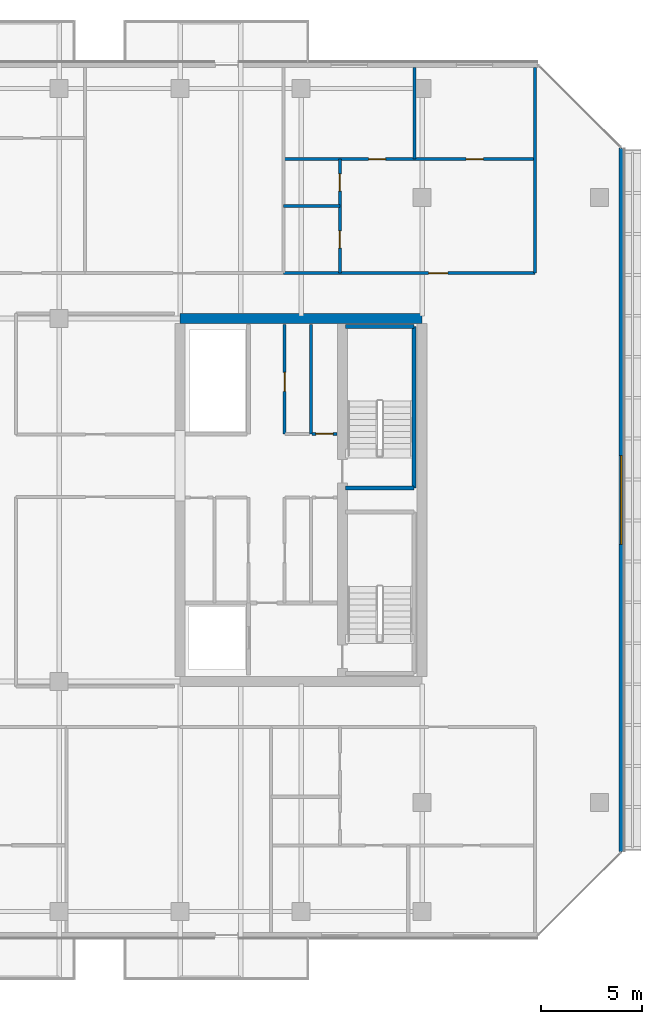
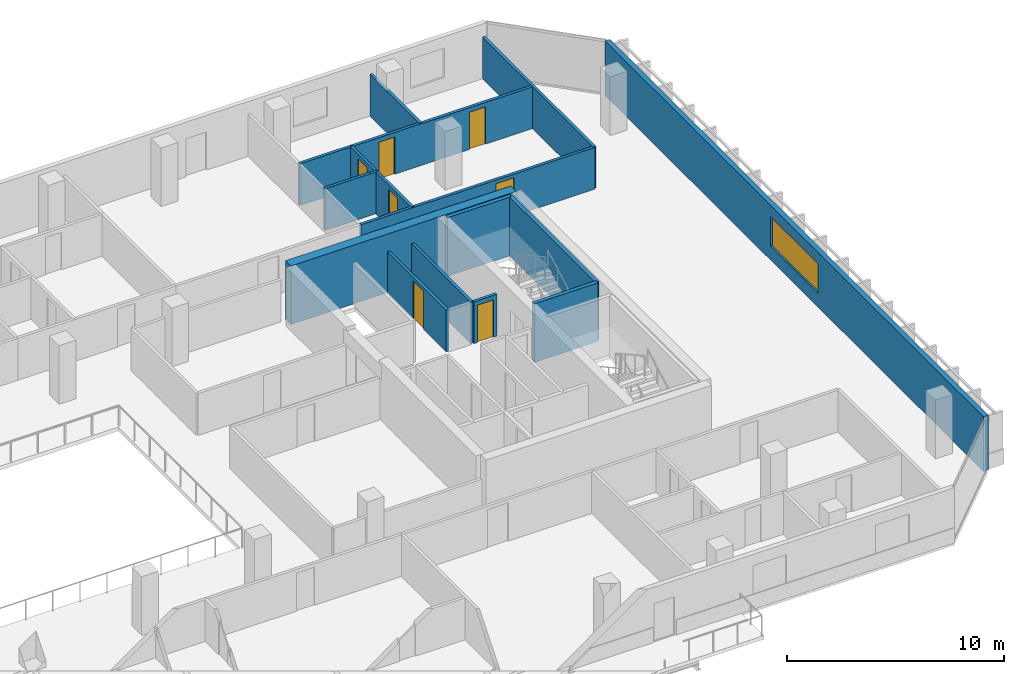
# One storey, part 24 of 29: 14 walls, 7 doors, 1 window, 8 openings.
"""IFC4 building model written with IfcOpenShell, lengths in metres."""

from ifc_helpers import new_model, si_unit, direction, frame, frame_2d, origin, place, context, subcontext, project, spatial, rectangle, extrude, material, layer, layer_set, type_object, element, fill, save


model = new_model("IFC4")

# Units and contexts
model_context = context("Model", 3, precision=1e-05, world=origin(), true_north=direction((0.0, 1.0)))
body_context = subcontext(model_context, "Body", "Model", "MODEL_VIEW")
ifc_project = project(units=[si_unit("LENGTHUNIT", "METRE"), si_unit("AREAUNIT", "SQUARE_METRE"), si_unit("VOLUMEUNIT", "CUBIC_METRE"), si_unit("PLANEANGLEUNIT", "RADIAN"), si_unit("MASSUNIT", "GRAM", prefix="KILO")], contexts=[model_context])

# Site, building, storey
site_placement = place(None, origin())
site = spatial("IfcSite", under=ifc_project, at=site_placement, CompositionType="ELEMENT")
building_placement = place(site_placement, origin())
building = spatial("IfcBuilding", under=site, at=building_placement, Name="Tanjung Sevakor Pilgrim Tower", CompositionType="ELEMENT")
storey_placement = place(building_placement, frame((0.0, 0.0, 148.5)))
storey = spatial("IfcBuildingStorey", under=building, at=storey_placement, Name="L41", CompositionType="ELEMENT", Elevation=148.5)

# Walls
ifc_material_1 = material(Name="Concrete C60/75", Category="concrete")
ifc_layer_1 = layer(ifc_material_1, 0.5)
ifc_layer_set_1 = layer_set([ifc_layer_1], Name="WALL-CW-500")
wall_type_1 = type_object("IfcWallType", Name="WALL-CW-500", PredefinedType="SHEAR", material=ifc_layer_set_1)
wall_1_placement = place(storey_placement, frame((90.0, 42.60009765625, 0.0), z_axis=(0.0, 0.0, 1.0), x_axis=(-1.0, 0.0, 0.0)))
element("IfcWall", 1, at=wall_1_placement, inside=storey, type_object=wall_type_1, Name="L41 E Core North Shear Wall", PredefinedType="SHEAR", context=body_context, shape_type="SweptSolid", body=[
    extrude(rectangle(XDim=12.0, YDim=0.5, at=frame_2d((6.0, 0.0))), origin(), (0.0, 0.0, 1.0), 3.300048828125),
])
ifc_material_2 = material(Name="Concrete C40/50", Category="concrete")
ifc_layer_2 = layer(ifc_material_2, 0.14990234375)
ifc_layer_set_2 = layer_set([ifc_layer_2], Name="WT-COMP-150")
wall_type_2 = type_object("IfcWallType", Name="WT-COMP-150", PredefinedType="SOLIDWALL", material=ifc_layer_set_2)
wall_2_placement = place(storey_placement, frame((84.47998046875, 36.8798828125, 0.0), z_axis=(0.0, 0.0, 1.0), x_axis=(0.0, 1.0, 0.0)))
element("IfcWall", 2, at=wall_2_placement, inside=storey, type_object=wall_type_2, Name="L41 Partition IW-L41-027", PredefinedType="SOLIDWALL", context=body_context, shape_type="SweptSolid", body=[
    extrude(rectangle(XDim=5.420166015625, YDim=0.14990234375, at=frame_2d((2.7099609375, 0.0))), origin(), (0.0, 0.0, 1.0), 2.35009765625),
])

# Wall, opening, door
wall_3_placement = place(storey_placement, frame((84.550048828125, 36.8798828125, 0.0), z_axis=(0.0, 0.0, 1.0), x_axis=(1.0, 0.0, 0.0)))
wall_3 = element("IfcWall", 3, at=wall_3_placement, inside=storey, type_object=wall_type_2, Name="L41 Partition IW-L41-028", PredefinedType="SOLIDWALL", context=body_context, shape_type="SweptSolid", body=[
    extrude(rectangle(XDim=1.22998046875, YDim=0.14990234375, at=frame_2d((0.614990234375, 0.0))), origin(), (0.0, 0.0, 1.0), 2.35009765625),
])
opening_1_placement = place(wall_3_placement, frame((0.179931640625, 0.0, 0.0)))
opening_1 = element("IfcOpeningElement", 4, at=opening_1_placement, cuts=wall_3, Name="Opening ID-FD3", PredefinedType="OPENING", context=body_context, shape_type="SweptSolid", body=[
    extrude(rectangle(XDim=0.85009765625, YDim=2.10009765625, at=frame_2d((0.425048828125, 1.050048828125))), frame((0.0, 0.0849609375, 0.0), z_axis=(0.0, -1.0, 0.0), x_axis=(1.0, 0.0, 0.0)), (0.0, 0.0, 1.0), 0.169921875),
])
ifc_material_3 = material(Name="Fire-Rated Timber", Category="wood")
door_type_1 = type_object("IfcDoorType", Name="DT-FIRE-850", OperationType="NOTDEFINED", PredefinedType="DOOR", material=ifc_material_3)
door_1_placement = place(opening_1_placement, origin())
door_1 = element("IfcDoor", 5, at=door_1_placement, inside=storey, type_object=door_type_1, Name="L41 Service Store Door", OperationType="SINGLE_SWING_RIGHT", OverallHeight=2.10009765625, OverallWidth=0.85009765625, PredefinedType="DOOR", context=body_context, shape_type="SweptSolid", body=[
    extrude(rectangle(XDim=0.85009765625, YDim=2.10009765625, at=frame_2d((0.425048828125, 1.050048828125))), frame((0.0, 0.02490234375, 0.0), z_axis=(0.0, -1.0, 0.0), x_axis=(1.0, 0.0, 0.0)), (0.0, 0.0, 1.0), 0.050048828125),
])
fill(opening_1, door_1)

wall_4_placement = place(storey_placement, frame((83.179931640625, 36.8798828125, 0.0), z_axis=(0.0, 0.0, 1.0), x_axis=(0.0, 1.0, 0.0)))
wall_4 = element("IfcWall", 6, at=wall_4_placement, inside=storey, type_object=wall_type_2, Name="L41 Partition IW-L41-030", PredefinedType="SOLIDWALL", context=body_context, shape_type="SweptSolid", body=[
    extrude(rectangle(XDim=5.420166015625, YDim=0.14990234375, at=frame_2d((2.7099609375, 0.0))), origin(), (0.0, 0.0, 1.0), 2.35009765625),
])
opening_2_placement = place(wall_4_placement, frame((2.10009765625, 0.0, 0.0)))
opening_2 = element("IfcOpeningElement", 7, at=opening_2_placement, cuts=wall_4, Name="Opening ID-FD2", PredefinedType="OPENING", context=body_context, shape_type="SweptSolid", body=[
    extrude(rectangle(XDim=0.949951171875, YDim=2.14990234375, at=frame_2d((0.47509765625, 1.074951171875))), frame((0.0, 0.0849609375, 0.0), z_axis=(0.0, -1.0, 0.0), x_axis=(1.0, 0.0, 0.0)), (0.0, 0.0, 1.0), 0.169921875),
])
ifc_material_4 = material(Name="Fire-Rated Timber", Category="wood")
door_type_2 = type_object("IfcDoorType", Name="DT-FIRE-950", OperationType="NOTDEFINED", PredefinedType="DOOR", material=ifc_material_4)
door_2_placement = place(opening_2_placement, origin())
door_2 = element("IfcDoor", 8, at=door_2_placement, inside=storey, type_object=door_type_2, Name="L41 Core Reading Room Door", OperationType="SINGLE_SWING_LEFT", OverallHeight=2.14990234375, OverallWidth=0.949951171875, PredefinedType="DOOR", context=body_context, shape_type="SweptSolid", body=[
    extrude(rectangle(XDim=0.949951171875, YDim=2.14990234375, at=frame_2d((0.47509765625, 1.074951171875))), frame((0.0, 0.02490234375, 0.0), z_axis=(0.0, -1.0, 0.0), x_axis=(1.0, 0.0, 0.0)), (0.0, 0.0, 1.0), 0.050048828125),
])
fill(opening_2, door_2)

# Wall
wall_5_placement = place(storey_placement, frame((95.60009765625, 44.85009765625, 0.0), z_axis=(0.0, 0.0, 1.0), x_axis=(0.0, 1.0, 0.0)))
element("IfcWall", 9, at=wall_5_placement, inside=storey, type_object=wall_type_2, Name="L41 Partition IW-L41-089", PredefinedType="SOLIDWALL", context=body_context, shape_type="SweptSolid", body=[
    extrude(rectangle(XDim=10.199951171875, YDim=0.14990234375, at=frame_2d((5.10009765625, 0.0))), origin(), (0.0, 0.0, 1.0), 2.35009765625),
])

# Wall, opening, door
wall_6_placement = place(storey_placement, frame((83.1357421875, 44.85009765625, 0.0), z_axis=(0.0, 0.0, 1.0), x_axis=(1.0, 0.0, 0.0)))
wall_6 = element("IfcWall", 10, at=wall_6_placement, inside=storey, type_object=wall_type_2, Name="L41 Partition IW-L41-107", PredefinedType="SOLIDWALL", context=body_context, shape_type="SweptSolid", body=[
    extrude(rectangle(XDim=12.46435546875, YDim=0.14990234375, at=frame_2d((6.232177734375, 0.0))), origin(), (0.0, 0.0, 1.0), 2.35009765625),
])
opening_3_placement = place(wall_6_placement, frame((7.189208984375, 0.0, 0.0)))
opening_3 = element("IfcOpeningElement", 11, at=opening_3_placement, cuts=wall_6, Name="Opening ID-FD2", PredefinedType="OPENING", context=body_context, shape_type="SweptSolid", body=[
    extrude(rectangle(XDim=0.949951171875, YDim=2.14990234375, at=frame_2d((0.47509765625, 1.074951171875))), frame((0.0, 0.0849609375, 0.0), z_axis=(0.0, -1.0, 0.0), x_axis=(1.0, 0.0, 0.0)), (0.0, 0.0, 1.0), 0.169921875),
])
door_3_placement = place(opening_3_placement, origin())
door_3 = element("IfcDoor", 12, at=door_3_placement, inside=storey, type_object=door_type_2, Name="Suite Entrance", OperationType="SINGLE_SWING_RIGHT", OverallHeight=2.14990234375, OverallWidth=0.949951171875, PredefinedType="DOOR", context=body_context, shape_type="SweptSolid", body=[
    extrude(rectangle(XDim=0.949951171875, YDim=2.14990234375, at=frame_2d((0.47509765625, 1.074951171875))), frame((0.0, 0.02490234375, 0.0), z_axis=(0.0, -1.0, 0.0), x_axis=(1.0, 0.0, 0.0)), (0.0, 0.0, 1.0), 0.050048828125),
])
fill(opening_3, door_3)

# Wall, opening, window
ifc_material_5 = material(Name="Precast concrete C45/55", Category="concrete")
ifc_layer_3 = layer(ifc_material_5, 0.25)
ifc_layer_set_3 = layer_set([ifc_layer_3], Name="WT-EW-STN3")
wall_type_3 = type_object("IfcWallType", Name="WT-EW-STN3", PredefinedType="SOLIDWALL", material=ifc_layer_set_3)
wall_7_placement = place(storey_placement, frame((99.875, 16.15185546875, 0.0), z_axis=(0.0, 0.0, 1.0), x_axis=(0.0, 1.0, 0.0)))
wall_7 = element("IfcWall", 13, at=wall_7_placement, inside=storey, type_object=wall_type_3, Name="L41 MAIN Exterior Wall 7", PredefinedType="SOLIDWALL", context=body_context, shape_type="SweptSolid", body=[
    extrude(rectangle(XDim=34.896240234375, YDim=0.25, at=frame_2d((17.4482421875, 0.0))), origin(), (0.0, 0.0, 1.0), 3.080078125),
])
opening_4_placement = place(wall_7_placement, frame((15.248291015625, 0.0, 0.780029296875)))
opening_4 = element("IfcOpeningElement", 14, at=opening_4_placement, cuts=wall_7, Name="Opening WN-ENDW-1660", PredefinedType="OPENING", context=body_context, shape_type="SweptSolid", body=[
    extrude(rectangle(XDim=4.39990234375, YDim=1.659912109375, at=frame_2d((2.199951171875, 0.830078125))), frame((0.0, 0.135009765625, 0.0), z_axis=(0.0, -1.0, 0.0), x_axis=(1.0, 0.0, 0.0)), (0.0, 0.0, 1.0), 0.27001953125),
])
ifc_material_6 = material(Name="Thermally Broken Aluminium and Low-E Glass", Category="aluminium")
window_type = type_object("IfcWindowType", Name="WTYP-WN-ENDW-1660", PartitioningType="DOUBLE_PANEL_VERTICAL", PredefinedType="WINDOW", material=ifc_material_6)
window_placement = place(opening_4_placement, origin())
window = element("IfcWindow", 15, at=window_placement, inside=storey, type_object=window_type, Name="L41 Facade Window 01", OverallHeight=1.659912109375, OverallWidth=4.39990234375, PartitioningType="SINGLE_PANEL", PredefinedType="WINDOW", context=body_context, shape_type="SweptSolid", body=[
    extrude(rectangle(XDim=4.39990234375, YDim=1.659912109375, at=frame_2d((2.199951171875, 0.830078125))), frame((0.0, 0.030029296875, 0.0), z_axis=(0.0, -1.0, 0.0), x_axis=(1.0, 0.0, 0.0)), (0.0, 0.0, 1.0), 0.06005859375),
])
fill(opening_4, window)

# Walls
ifc_material_7 = material(Name="Concrete C40/50", Category="concrete")
ifc_layer_4 = layer(ifc_material_7, 0.199951171875)
ifc_layer_set_4 = layer_set([ifc_layer_4], Name="WT-FIRE-200")
wall_type_4 = type_object("IfcWallType", Name="WT-FIRE-200", PredefinedType="SOLIDWALL", material=ifc_layer_set_4)
wall_8_placement = place(storey_placement, frame((86.199951171875, 34.199951171875, 0.0), z_axis=(0.0, 0.0, 1.0), x_axis=(1.0, 0.0, 0.0)))
element("IfcWall", 16, at=wall_8_placement, inside=storey, type_object=wall_type_4, Name="L41 TS-E2 Shaft Wall 1", PredefinedType="SOLIDWALL", context=body_context, shape_type="SweptSolid", body=[
    extrude(rectangle(XDim=3.400146484375, YDim=0.199951171875, at=frame_2d((1.7001953125, 0.0))), origin(), (0.0, 0.0, 1.0), 3.300048828125),
])
wall_9_placement = place(storey_placement, frame((89.60009765625, 34.199951171875, 0.0), z_axis=(0.0, 0.0, 1.0), x_axis=(0.0, 1.0, 0.0)))
element("IfcWall", 17, at=wall_9_placement, inside=storey, type_object=wall_type_4, Name="L41 TS-E2 Shaft Wall 2", PredefinedType="SOLIDWALL", context=body_context, shape_type="SweptSolid", body=[
    extrude(rectangle(XDim=8.0, YDim=0.199951171875, at=frame_2d((4.0, 0.0))), origin(), (0.0, 0.0, 1.0), 3.300048828125),
])
wall_10_placement = place(storey_placement, frame((89.60009765625, 42.199951171875, 0.0), z_axis=(0.0, 0.0, 1.0), x_axis=(-1.0, 0.0, 0.0)))
element("IfcWall", 18, at=wall_10_placement, inside=storey, type_object=wall_type_4, Name="L41 TS-E2 Shaft Wall 3", PredefinedType="SOLIDWALL", context=body_context, shape_type="SweptSolid", body=[
    extrude(rectangle(XDim=3.400146484375, YDim=0.199951171875, at=frame_2d((1.7001953125, 0.0))), origin(), (0.0, 0.0, 1.0), 3.300048828125),
])
ifc_material_8 = material(Name="Gypsum Board Partition", Category="gypsum board")
ifc_layer_5 = layer(ifc_material_8, 0.14990234375)
ifc_layer_set_5 = layer_set([ifc_layer_5], Name="WT-PART-150")
wall_type_5 = type_object("IfcWallType", Name="WT-PART-150", PredefinedType="PARTITIONING", material=ifc_layer_set_5)
wall_11_placement = place(storey_placement, frame((83.1357421875, 48.1826171875, 0.0), z_axis=(0.0, 0.0, 1.0), x_axis=(1.0, 0.0, 0.0)))
element("IfcWall", 19, at=wall_11_placement, inside=storey, type_object=wall_type_5, Name="L41 Partition IW-L41-103", PredefinedType="PARTITIONING", context=body_context, shape_type="SweptSolid", body=[
    extrude(rectangle(XDim=2.7841796875, YDim=0.14990234375, at=frame_2d((1.39208984375, 0.0))), origin(), (0.0, 0.0, 1.0), 2.35009765625),
])

# Wall, openings, doors
wall_12_placement = place(storey_placement, frame((85.919921875, 44.85009765625, 0.0), z_axis=(0.0, 0.0, 1.0), x_axis=(0.0, 1.0, 0.0)))
wall_12 = element("IfcWall", 20, at=wall_12_placement, inside=storey, type_object=wall_type_5, Name="L41 Partition IW-L41-104", PredefinedType="PARTITIONING", context=body_context, shape_type="SweptSolid", body=[
    extrude(rectangle(XDim=5.6484375, YDim=0.14990234375, at=frame_2d((2.82421875, 0.0))), origin(), (0.0, 0.0, 1.0), 2.35009765625),
])
opening_5_placement = place(wall_12_placement, frame((1.2412109375, 0.0, 0.0)))
opening_5 = element("IfcOpeningElement", 21, at=opening_5_placement, cuts=wall_12, Name="Opening ID-WC1", PredefinedType="OPENING", context=body_context, shape_type="SweptSolid", body=[
    extrude(rectangle(XDim=0.85009765625, YDim=2.10009765625, at=frame_2d((0.425048828125, 1.050048828125))), frame((0.0, 0.0849609375, 0.0), z_axis=(0.0, -1.0, 0.0), x_axis=(1.0, 0.0, 0.0)), (0.0, 0.0, 1.0), 0.169921875),
])
opening_6_placement = place(wall_12_placement, frame((4.0654296875, 0.0, 0.0)))
opening_6 = element("IfcOpeningElement", 22, at=opening_6_placement, cuts=wall_12, Name="Opening ID-WC1", PredefinedType="OPENING", context=body_context, shape_type="SweptSolid", body=[
    extrude(rectangle(XDim=0.85009765625, YDim=2.10009765625, at=frame_2d((0.425048828125, 1.050048828125))), frame((0.0, 0.0849609375, 0.0), z_axis=(0.0, -1.0, 0.0), x_axis=(1.0, 0.0, 0.0)), (0.0, 0.0, 1.0), 0.169921875),
])
ifc_material_9 = material(Name="Moisture-Resistant Timber", Category="wood")
door_type_3 = type_object("IfcDoorType", Name="DT-INT-850", OperationType="NOTDEFINED", PredefinedType="DOOR", material=ifc_material_9)
door_4_placement = place(opening_5_placement, origin())
door_4 = element("IfcDoor", 23, at=door_4_placement, inside=storey, type_object=door_type_3, Name="Suite Kitchenette Door", OperationType="SINGLE_SWING_RIGHT", OverallHeight=2.10009765625, OverallWidth=0.85009765625, PredefinedType="DOOR", context=body_context, shape_type="SweptSolid", body=[
    extrude(rectangle(XDim=0.85009765625, YDim=2.10009765625, at=frame_2d((0.425048828125, 1.050048828125))), frame((0.0, 0.02490234375, 0.0), z_axis=(0.0, -1.0, 0.0), x_axis=(1.0, 0.0, 0.0)), (0.0, 0.0, 1.0), 0.050048828125),
])
fill(opening_5, door_4)
door_5_placement = place(opening_6_placement, origin())
door_5 = element("IfcDoor", 24, at=door_5_placement, inside=storey, type_object=door_type_3, Name="Suite Bathroom Door", OperationType="SINGLE_SWING_LEFT", OverallHeight=2.10009765625, OverallWidth=0.85009765625, PredefinedType="DOOR", context=body_context, shape_type="SweptSolid", body=[
    extrude(rectangle(XDim=0.85009765625, YDim=2.10009765625, at=frame_2d((0.425048828125, 1.050048828125))), frame((0.0, 0.02490234375, 0.0), z_axis=(0.0, -1.0, 0.0), x_axis=(1.0, 0.0, 0.0)), (0.0, 0.0, 1.0), 0.050048828125),
])
fill(opening_6, door_5)

# Wall
wall_13_placement = place(storey_placement, frame((89.6171875, 50.49853515625, 0.0), z_axis=(0.0, 0.0, 1.0), x_axis=(0.0, 1.0, 0.0)))
element("IfcWall", 25, at=wall_13_placement, inside=storey, type_object=wall_type_5, Name="L41 Partition IW-L41-105", PredefinedType="PARTITIONING", context=body_context, shape_type="SweptSolid", body=[
    extrude(rectangle(XDim=4.551513671875, YDim=0.14990234375, at=frame_2d((2.27587890625, 0.0))), origin(), (0.0, 0.0, 1.0), 2.35009765625),
])

# Wall, openings, doors
wall_14_placement = place(storey_placement, frame((83.1357421875, 50.49853515625, 0.0), z_axis=(0.0, 0.0, 1.0), x_axis=(1.0, 0.0, 0.0)))
wall_14 = element("IfcWall", 26, at=wall_14_placement, inside=storey, type_object=wall_type_5, Name="L41 Partition IW-L41-106", PredefinedType="PARTITIONING", context=body_context, shape_type="SweptSolid", body=[
    extrude(rectangle(XDim=12.46435546875, YDim=0.14990234375, at=frame_2d((6.232177734375, 0.0))), origin(), (0.0, 0.0, 1.0), 2.35009765625),
])
opening_7_placement = place(wall_14_placement, frame((4.2080078125, 0.0, 0.0)))
opening_7 = element("IfcOpeningElement", 27, at=opening_7_placement, cuts=wall_14, Name="Opening ID-WC1", PredefinedType="OPENING", context=body_context, shape_type="SweptSolid", body=[
    extrude(rectangle(XDim=0.85009765625, YDim=2.10009765625, at=frame_2d((0.425048828125, 1.050048828125))), frame((0.0, 0.0849609375, 0.0), z_axis=(0.0, -1.0, 0.0), x_axis=(1.0, 0.0, 0.0)), (0.0, 0.0, 1.0), 0.169921875),
])
opening_8_placement = place(wall_14_placement, frame((9.0478515625, 0.0, 0.0)))
opening_8 = element("IfcOpeningElement", 28, at=opening_8_placement, cuts=wall_14, Name="Opening ID-WC1", PredefinedType="OPENING", context=body_context, shape_type="SweptSolid", body=[
    extrude(rectangle(XDim=0.85009765625, YDim=2.10009765625, at=frame_2d((0.425048828125, 1.050048828125))), frame((0.0, 0.0849609375, 0.0), z_axis=(0.0, -1.0, 0.0), x_axis=(1.0, 0.0, 0.0)), (0.0, 0.0, 1.0), 0.169921875),
])
door_6_placement = place(opening_7_placement, origin())
door_6 = element("IfcDoor", 29, at=door_6_placement, inside=storey, type_object=door_type_3, Name="Suite Bedroom 1 Door", OperationType="SINGLE_SWING_RIGHT", OverallHeight=2.10009765625, OverallWidth=0.85009765625, PredefinedType="DOOR", context=body_context, shape_type="SweptSolid", body=[
    extrude(rectangle(XDim=0.85009765625, YDim=2.10009765625, at=frame_2d((0.425048828125, 1.050048828125))), frame((0.0, 0.02490234375, 0.0), z_axis=(0.0, -1.0, 0.0), x_axis=(1.0, 0.0, 0.0)), (0.0, 0.0, 1.0), 0.050048828125),
])
fill(opening_7, door_6)
door_7_placement = place(opening_8_placement, origin())
door_7 = element("IfcDoor", 30, at=door_7_placement, inside=storey, type_object=door_type_3, Name="Suite Bedroom 2 Door", OperationType="SINGLE_SWING_LEFT", OverallHeight=2.10009765625, OverallWidth=0.85009765625, PredefinedType="DOOR", context=body_context, shape_type="SweptSolid", body=[
    extrude(rectangle(XDim=0.85009765625, YDim=2.10009765625, at=frame_2d((0.425048828125, 1.050048828125))), frame((0.0, 0.02490234375, 0.0), z_axis=(0.0, -1.0, 0.0), x_axis=(1.0, 0.0, 0.0)), (0.0, 0.0, 1.0), 0.050048828125),
])
fill(opening_8, door_7)

save(model, "model.ifc")
